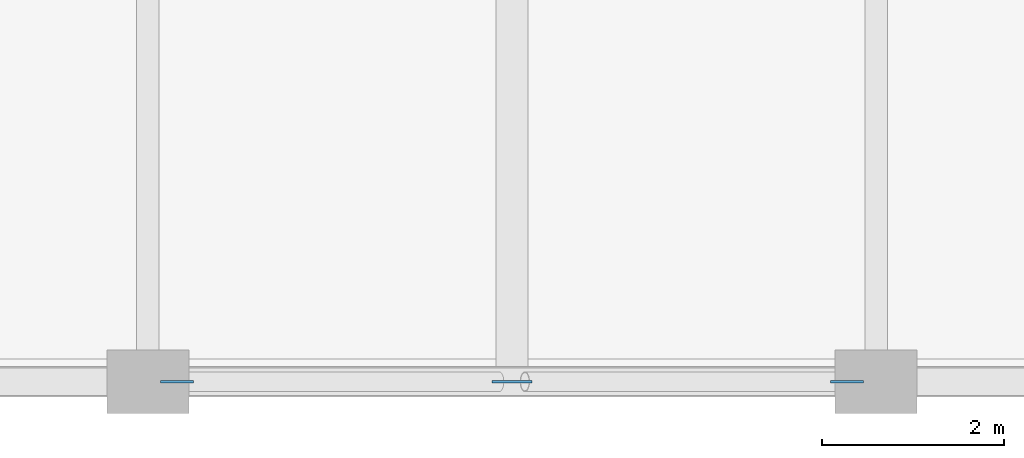
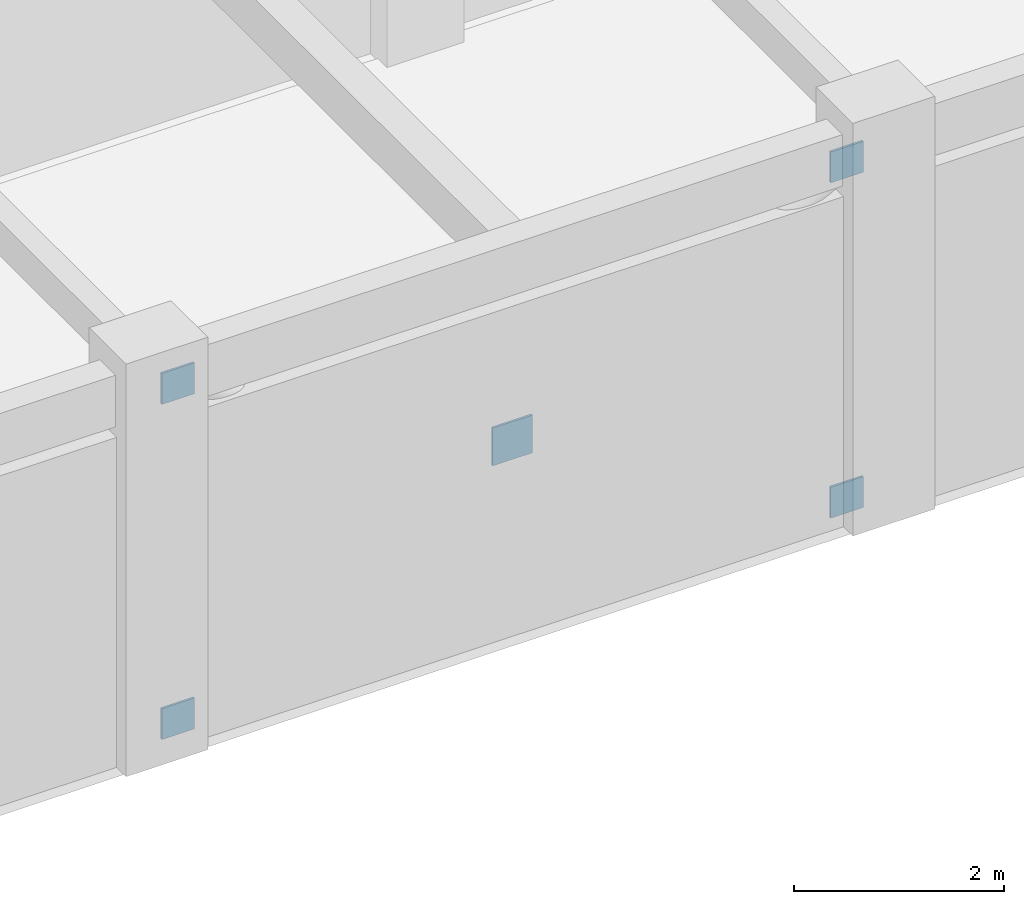
# One storey, part 104 of 144: 5 plates.
"""IFC4 building model written with IfcOpenShell, lengths in metres."""

from ifc_helpers import new_model, si_unit, direction, frame, origin, origin_2d, place, context, subcontext, project, spatial, rectangle, extrude, material, layer, layer_set, type_object, element, save


model = new_model("IFC4")

# Units and contexts
model_context = context("Model", 3, precision=1e-05, world=origin(), true_north=direction((0.0, 1.0)))
body_context = subcontext(model_context, "Body", "Model", "MODEL_VIEW")
ifc_project = project(units=[si_unit("LENGTHUNIT", "METRE"), si_unit("AREAUNIT", "SQUARE_METRE"), si_unit("VOLUMEUNIT", "CUBIC_METRE"), si_unit("PLANEANGLEUNIT", "RADIAN"), si_unit("MASSUNIT", "GRAM", prefix="KILO")], contexts=[model_context])

# Site, building, storey
site_placement = place(None, origin())
site = spatial("IfcSite", under=ifc_project, at=site_placement, CompositionType="ELEMENT")
building_placement = place(site_placement, origin())
building = spatial("IfcBuilding", under=site, at=building_placement, Name="Varnabhumi Central Station", CompositionType="ELEMENT")
storey_placement = place(building_placement, frame((0.0, 0.0, 4.800048828125)))
storey = spatial("IfcBuildingStorey", under=building, at=storey_placement, Name="L01", CompositionType="ELEMENT", Elevation=4.800048828125)

# Plates
ifc_material = material(Name="Structural steel E350", Category="steel")
ifc_layer = layer(ifc_material, 0.031982421875, Name="Structural steel E350", Category="steel")
ifc_layer_set = layer_set([ifc_layer], Name="Structural steel E350")
plate_type = type_object("IfcPlateType", Name="PLT-GUSSET-A", PredefinedType="USERDEFINED", material=ifc_layer_set)
plate_placement = place(storey_placement, frame((172.0, 0.0, 1.929931640625), z_axis=(0.0, 0.0, 1.0), x_axis=(1.0, 0.0, 0.0)))
element("IfcPlate", 1, at=plate_placement, inside=storey, type_object=plate_type, Name="X-Brace Crossing Node Gusset L01-A:22-23", ObjectType="GUSSET PLATE", PredefinedType="USERDEFINED", context=body_context, shape_type="SweptSolid", body=[
    extrude(rectangle(XDim=0.43994140625, YDim=0.02490234375, at=origin_2d()), origin(), (0.0, 0.0, 1.0), 0.43994140625),
])
for number, where, z_axis, x_axis, name in (
    (2, (168.320068359375, 0.0, 0.02001953125), (0.0, 0.0, 1.0), (1.0, 0.0, 0.0), "Brace End Gusset Plate L01-A:22-23-BL"),
    (3, (168.320068359375, 0.0, 3.919921875), (0.0, 0.0, 1.0), (1.0, 0.0, 0.0), "Brace End Gusset Plate L01-A:22-23-TL"),
    (4, (175.679931640625, 0.0, 0.02001953125), (0.0, 0.0, 1.0), (1.0, 0.0, 0.0), "Brace End Gusset Plate L01-A:22-23-BR"),
    (5, (175.679931640625, 0.0, 3.919921875), (0.0, 0.0, 1.0), (1.0, 0.0, 0.0), "Brace End Gusset Plate L01-A:22-23-TR"),
):
    element("IfcPlate", number, at=place(storey_placement, frame(where, z_axis=z_axis, x_axis=x_axis)), inside=storey, type_object=plate_type, Name=name, ObjectType="GUSSET PLATE", PredefinedType="USERDEFINED", context=body_context, shape_type="SweptSolid", body=[
        extrude(rectangle(XDim=0.360107421875, YDim=0.02490234375, at=origin_2d()), origin(), (0.0, 0.0, 1.0), 0.360107421875),
    ])

save(model, "model.ifc")
